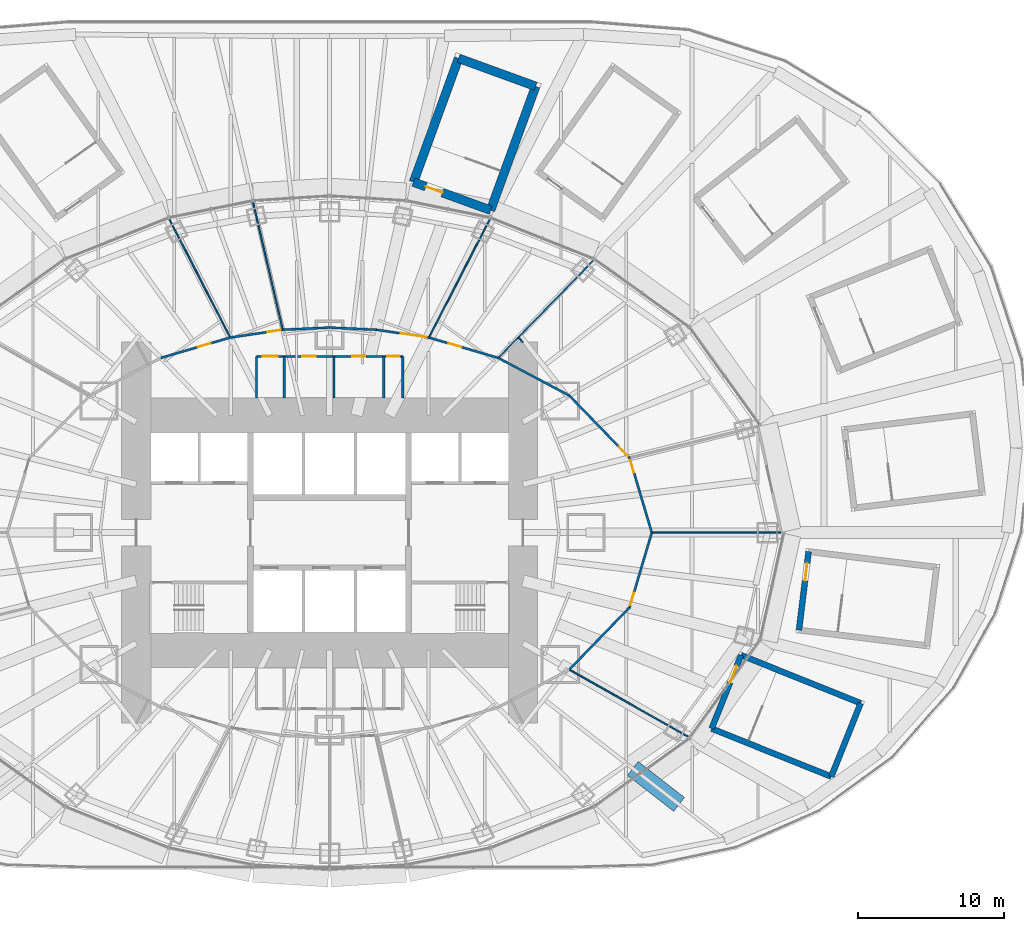
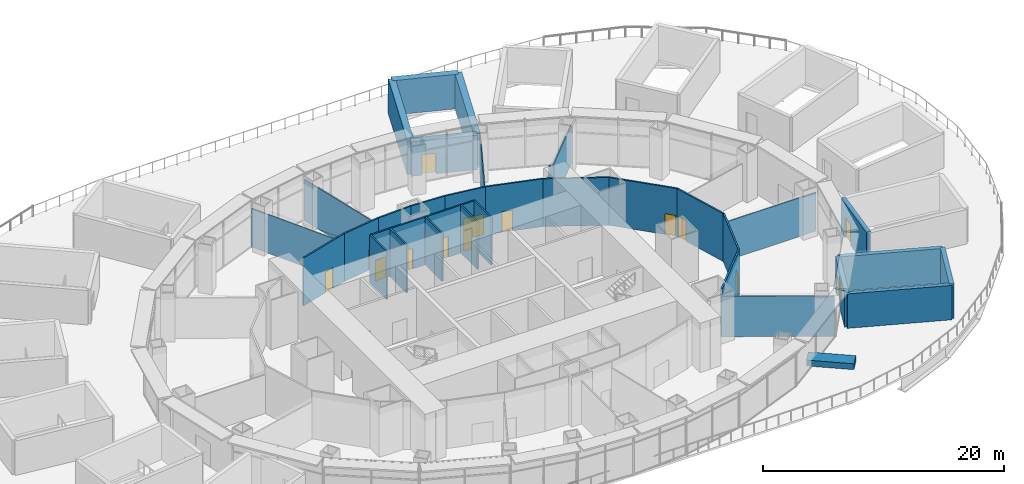
# One storey, part 18 of 25: 34 walls, 14 doors, 14 openings.
"""IFC4 building model written with IfcOpenShell, lengths in metres."""

from ifc_helpers import new_model, si_unit, direction, frame, frame_2d, origin, place, context, subcontext, project, spatial, rectangle, extrude, material, layer, layer_set, type_object, element, fill, save


model = new_model("IFC4")

# Units and contexts
model_context = context("Model", 3, precision=1e-05, world=origin(), true_north=direction((0.0, 1.0)))
body_context = subcontext(model_context, "Body", "Model", "MODEL_VIEW")
ifc_project = project(units=[si_unit("LENGTHUNIT", "METRE"), si_unit("AREAUNIT", "SQUARE_METRE"), si_unit("VOLUMEUNIT", "CUBIC_METRE"), si_unit("PLANEANGLEUNIT", "RADIAN"), si_unit("MASSUNIT", "GRAM", prefix="KILO")], contexts=[model_context])

# Site, building, storey
site_placement = place(None, origin())
site = spatial("IfcSite", under=ifc_project, at=site_placement, CompositionType="ELEMENT")
building_placement = place(site_placement, origin())
building = spatial("IfcBuilding", under=site, at=building_placement, Name="Lantaw Convention Tower", CompositionType="ELEMENT")
storey_placement = place(building_placement, frame((0.0, 0.0, 32.0)))
storey = spatial("IfcBuildingStorey", under=building, at=storey_placement, Name="L05", CompositionType="ELEMENT", Elevation=32.0)

# Wall, opening, door
ifc_material_1 = material(Name="Gypsum board on steel studs, fire rated", Category="steel")
ifc_layer_1 = layer(ifc_material_1, 0.14990234375)
ifc_layer_set_1 = layer_set([ifc_layer_1], Name="Corridor wall 150 EI 60")
wall_type_1 = type_object("IfcWallType", Name="Corridor wall 150 EI 60", PredefinedType="PARTITIONING", material=ifc_layer_set_1)
wall_1_placement = place(storey_placement, frame((22.0, 0.0, 0.0), z_axis=(0.0, 0.0, 1.0), x_axis=(-0.284584469409, 0.95865096869, 0.0)))
wall_1 = element("IfcWall", 1, at=wall_1_placement, inside=storey, type_object=wall_type_1, Name="Corridor wall 150", PredefinedType="PARTITIONING", context=body_context, shape_type="SweptSolid", body=[
    extrude(rectangle(XDim=5.327392578125, YDim=0.14990234375, at=frame_2d((2.66357421875, 0.0))), origin(), (0.0, 0.0, 1.0), 4.85009765625),
])
opening_1_placement = place(wall_1_placement, frame((4.277587890625, 0.0, 0.0)))
opening_1 = element("IfcOpeningElement", 2, at=opening_1_placement, cuts=wall_1, Name="Opening L05.22", PredefinedType="OPENING", context=body_context, shape_type="SweptSolid", body=[
    extrude(rectangle(XDim=0.89990234375, YDim=2.10009765625, at=frame_2d((0.449951171875, 1.050048828125))), frame((0.0, 0.0849609375, 0.0), z_axis=(0.0, -1.0, 0.0), x_axis=(1.0, 0.0, 0.0)), (0.0, 0.0, 1.0), 0.169921875),
])
ifc_material_2 = material(Name="Steel, fire rated", Category="steel")
door_type_1 = type_object("IfcDoorType", Name="Office door 900 FD30", OperationType="SINGLE_SWING_LEFT", PredefinedType="DOOR", material=ifc_material_2)
door_1_placement = place(opening_1_placement, origin())
door_1 = element("IfcDoor", 3, at=door_1_placement, inside=storey, type_object=door_type_1, Name="Luggage store door", OperationType="SINGLE_SWING_LEFT", OverallHeight=2.10009765625, OverallWidth=0.89990234375, PredefinedType="DOOR", context=body_context, shape_type="SweptSolid", body=[
    extrude(rectangle(XDim=0.89990234375, YDim=2.10009765625, at=frame_2d((0.449951171875, 1.050048828125))), frame((0.0, 0.02490234375, 0.0), z_axis=(0.0, -1.0, 0.0), x_axis=(1.0, 0.0, 0.0)), (0.0, 0.0, 1.0), 0.050048828125),
])
fill(opening_1, door_1)

wall_2_placement = place(storey_placement, frame((20.48388671875, 5.107177734375, 0.0), z_axis=(0.0, 0.0, 1.0), x_axis=(-0.695871090686, 0.71816671125, 0.0)))
wall_2 = element("IfcWall", 4, at=wall_2_placement, inside=storey, type_object=wall_type_1, Name="Corridor wall 150", PredefinedType="PARTITIONING", context=body_context, shape_type="SweptSolid", body=[
    extrude(rectangle(XDim=5.9130859375, YDim=0.14990234375, at=frame_2d((2.95654296875, 0.0))), origin(), (0.0, 0.0, 1.0), 4.85009765625),
])
opening_2_placement = place(wall_2_placement, frame((0.14990234375, 0.0, 0.0)))
opening_2 = element("IfcOpeningElement", 5, at=opening_2_placement, cuts=wall_2, Name="Opening L05.23", PredefinedType="OPENING", context=body_context, shape_type="SweptSolid", body=[
    extrude(rectangle(XDim=0.89990234375, YDim=2.10009765625, at=frame_2d((0.449951171875, 1.050048828125))), frame((0.0, 0.0849609375, 0.0), z_axis=(0.0, -1.0, 0.0), x_axis=(1.0, 0.0, 0.0)), (0.0, 0.0, 1.0), 0.169921875),
])
door_2_placement = place(opening_2_placement, origin())
door_2 = element("IfcDoor", 6, at=door_2_placement, inside=storey, type_object=door_type_1, Name="Reception and concierge door", OperationType="SINGLE_SWING_LEFT", OverallHeight=2.10009765625, OverallWidth=0.89990234375, PredefinedType="DOOR", context=body_context, shape_type="SweptSolid", body=[
    extrude(rectangle(XDim=0.89990234375, YDim=2.10009765625, at=frame_2d((0.449951171875, 1.050048828125))), frame((0.0, 0.02490234375, 0.0), z_axis=(0.0, -1.0, 0.0), x_axis=(1.0, 0.0, 0.0)), (0.0, 0.0, 1.0), 0.050048828125),
])
fill(opening_2, door_2)

# Wall
wall_3_placement = place(storey_placement, frame((16.369140625, 9.353759765625, 0.0), z_axis=(0.0, 0.0, 1.0), x_axis=(-0.883334368785, 0.468743419071, 0.0)))
element("IfcWall", 7, at=wall_3_placement, inside=storey, type_object=wall_type_1, Name="Corridor wall 150", PredefinedType="PARTITIONING", context=body_context, shape_type="SweptSolid", body=[
    extrude(rectangle(XDim=5.4912109375, YDim=0.14990234375, at=frame_2d((2.74560546875, 0.0))), origin(), (0.0, 0.0, 1.0), 4.85009765625),
])

# Wall, opening, door
wall_4_placement = place(storey_placement, frame((11.5185546875, 11.927734375, 0.0), z_axis=(0.0, 0.0, 1.0), x_axis=(-0.959496227294, 0.281721475589, 0.0)))
wall_4 = element("IfcWall", 8, at=wall_4_placement, inside=storey, type_object=wall_type_1, Name="Corridor wall 150", PredefinedType="PARTITIONING", context=body_context, shape_type="SweptSolid", body=[
    extrude(rectangle(XDim=4.9326171875, YDim=0.14990234375, at=frame_2d((2.46630859375, 0.0))), origin(), (0.0, 0.0, 1.0), 4.85009765625),
])
opening_3_placement = place(wall_4_placement, frame((2.638427734375, 0.0, 0.0)))
opening_3 = element("IfcOpeningElement", 9, at=opening_3_placement, cuts=wall_4, Name="Opening L05.24", PredefinedType="OPENING", context=body_context, shape_type="SweptSolid", body=[
    extrude(rectangle(XDim=0.89990234375, YDim=2.10009765625, at=frame_2d((0.449951171875, 1.050048828125))), frame((0.0, 0.0849609375, 0.0), z_axis=(0.0, -1.0, 0.0), x_axis=(1.0, 0.0, 0.0)), (0.0, 0.0, 1.0), 0.169921875),
])
door_3_placement = place(opening_3_placement, origin())
door_3 = element("IfcDoor", 10, at=door_3_placement, inside=storey, type_object=door_type_1, Name="Guest relations office door", OperationType="SINGLE_SWING_LEFT", OverallHeight=2.10009765625, OverallWidth=0.89990234375, PredefinedType="DOOR", context=body_context, shape_type="SweptSolid", body=[
    extrude(rectangle(XDim=0.89990234375, YDim=2.10009765625, at=frame_2d((0.449951171875, 1.050048828125))), frame((0.0, 0.02490234375, 0.0), z_axis=(0.0, -1.0, 0.0), x_axis=(1.0, 0.0, 0.0)), (0.0, 0.0, 1.0), 0.050048828125),
])
fill(opening_3, door_3)

wall_5_placement = place(storey_placement, frame((6.78564453125, 13.3173828125, 0.0), z_axis=(0.0, 0.0, 1.0), x_axis=(-0.989107488999, 0.14719502439, 0.0)))
wall_5 = element("IfcWall", 11, at=wall_5_placement, inside=storey, type_object=wall_type_1, Name="Corridor wall 150", PredefinedType="PARTITIONING", context=body_context, shape_type="SweptSolid", body=[
    extrude(rectangle(XDim=3.62744140625, YDim=0.14990234375, at=frame_2d((1.813720703125, 0.0))), origin(), (0.0, 0.0, 1.0), 4.85009765625),
])
opening_4_placement = place(wall_5_placement, frame((0.14990234375, 0.0, 0.0)))
opening_4 = element("IfcOpeningElement", 12, at=opening_4_placement, cuts=wall_5, Name="Opening L05.25", PredefinedType="OPENING", context=body_context, shape_type="SweptSolid", body=[
    extrude(rectangle(XDim=1.800048828125, YDim=2.10009765625, at=frame_2d((0.89990234375, 1.050048828125))), frame((0.0, 0.0849609375, 0.0), z_axis=(0.0, -1.0, 0.0), x_axis=(1.0, 0.0, 0.0)), (0.0, 0.0, 1.0), 0.169921875),
])
door_type_2 = type_object("IfcDoorType", Name="Office double door 1800 FD30", OperationType="DOUBLE_DOOR_DOUBLE_SWING", PredefinedType="DOOR", material=ifc_material_2)
door_4_placement = place(opening_4_placement, origin())
door_4 = element("IfcDoor", 13, at=door_4_placement, inside=storey, type_object=door_type_2, Name="Business centre door", OperationType="DOUBLE_DOOR_DOUBLE_SWING", OverallHeight=2.10009765625, OverallWidth=1.800048828125, PredefinedType="DOOR", context=body_context, shape_type="SweptSolid", body=[
    extrude(rectangle(XDim=1.800048828125, YDim=2.10009765625, at=frame_2d((0.89990234375, 1.050048828125))), frame((0.0, 0.02490234375, 0.0), z_axis=(0.0, -1.0, 0.0), x_axis=(1.0, 0.0, 0.0)), (0.0, 0.0, 1.0), 0.050048828125),
])
fill(opening_4, door_4)

# Walls
for number, where, z_axis, x_axis, name in (
    (14, (3.19775390625, 13.851318359375, 0.0), (0.0, 0.0, 1.0), (-0.998920826789, 0.046445471333, 0.0), "Corridor wall 150"),
    (15, (0.0, 14.0, 0.0), (0.0, 0.0, 1.0), (-0.998920826789, -0.046445471333, 0.0), "Corridor wall 150"),
):
    element("IfcWall", number, at=place(storey_placement, frame(where, z_axis=z_axis, x_axis=x_axis)), inside=storey, type_object=wall_type_1, Name=name, PredefinedType="PARTITIONING", context=body_context, shape_type="SweptSolid", body=[
        extrude(rectangle(XDim=3.201171875, YDim=0.14990234375, at=frame_2d((1.6005859375, 0.0))), origin(), (0.0, 0.0, 1.0), 4.85009765625),
    ])

# Wall, opening, door
wall_6_placement = place(storey_placement, frame((-3.19775390625, 13.851318359375, 0.0), z_axis=(0.0, 0.0, 1.0), x_axis=(-0.989107488999, -0.14719502439, 0.0)))
wall_6 = element("IfcWall", 16, at=wall_6_placement, inside=storey, type_object=wall_type_1, Name="Corridor wall 150", PredefinedType="PARTITIONING", context=body_context, shape_type="SweptSolid", body=[
    extrude(rectangle(XDim=3.62744140625, YDim=0.14990234375, at=frame_2d((1.813720703125, 0.0))), origin(), (0.0, 0.0, 1.0), 4.85009765625),
])
opening_5_placement = place(wall_6_placement, frame((0.14990234375, 0.0, 0.0)))
opening_5 = element("IfcOpeningElement", 17, at=opening_5_placement, cuts=wall_6, Name="Opening L05.26", PredefinedType="OPENING", context=body_context, shape_type="SweptSolid", body=[
    extrude(rectangle(XDim=0.89990234375, YDim=2.10009765625, at=frame_2d((0.449951171875, 1.050048828125))), frame((0.0, 0.0849609375, 0.0), z_axis=(0.0, -1.0, 0.0), x_axis=(1.0, 0.0, 0.0)), (0.0, 0.0, 1.0), 0.169921875),
])
door_5_placement = place(opening_5_placement, origin())
door_5 = element("IfcDoor", 18, at=door_5_placement, inside=storey, type_object=door_type_1, Name="Prayer room door", OperationType="SINGLE_SWING_LEFT", OverallHeight=2.10009765625, OverallWidth=0.89990234375, PredefinedType="DOOR", context=body_context, shape_type="SweptSolid", body=[
    extrude(rectangle(XDim=0.89990234375, YDim=2.10009765625, at=frame_2d((0.449951171875, 1.050048828125))), frame((0.0, 0.02490234375, 0.0), z_axis=(0.0, -1.0, 0.0), x_axis=(1.0, 0.0, 0.0)), (0.0, 0.0, 1.0), 0.050048828125),
])
fill(opening_5, door_5)

wall_7_placement = place(storey_placement, frame((-6.78564453125, 13.3173828125, 0.0), z_axis=(0.0, 0.0, 1.0), x_axis=(-0.959496227294, -0.281721475589, 0.0)))
wall_7 = element("IfcWall", 19, at=wall_7_placement, inside=storey, type_object=wall_type_1, Name="Corridor wall 150", PredefinedType="PARTITIONING", context=body_context, shape_type="SweptSolid", body=[
    extrude(rectangle(XDim=4.9326171875, YDim=0.14990234375, at=frame_2d((2.46630859375, 0.0))), origin(), (0.0, 0.0, 1.0), 4.85009765625),
])
opening_6_placement = place(wall_7_placement, frame((1.394287109375, 0.0, 0.0)))
opening_6 = element("IfcOpeningElement", 20, at=opening_6_placement, cuts=wall_7, Name="Opening L05.27", PredefinedType="OPENING", context=body_context, shape_type="SweptSolid", body=[
    extrude(rectangle(XDim=0.89990234375, YDim=2.10009765625, at=frame_2d((0.449951171875, 1.050048828125))), frame((0.0, 0.0849609375, 0.0), z_axis=(0.0, -1.0, 0.0), x_axis=(1.0, 0.0, 0.0)), (0.0, 0.0, 1.0), 0.169921875),
])
door_6_placement = place(opening_6_placement, origin())
door_6 = element("IfcDoor", 21, at=door_6_placement, inside=storey, type_object=door_type_1, Name="Fitness centre door", OperationType="SINGLE_SWING_LEFT", OverallHeight=2.10009765625, OverallWidth=0.89990234375, PredefinedType="DOOR", context=body_context, shape_type="SweptSolid", body=[
    extrude(rectangle(XDim=0.89990234375, YDim=2.10009765625, at=frame_2d((0.449951171875, 1.050048828125))), frame((0.0, 0.02490234375, 0.0), z_axis=(0.0, -1.0, 0.0), x_axis=(1.0, 0.0, 0.0)), (0.0, 0.0, 1.0), 0.050048828125),
])
fill(opening_6, door_6)

# Wall
wall_8_placement = place(storey_placement, frame((16.369140625, -9.353759765625, 0.0), z_axis=(0.0, 0.0, 1.0), x_axis=(0.695871090686, 0.71816671125, 0.0)))
element("IfcWall", 22, at=wall_8_placement, inside=storey, type_object=wall_type_1, Name="Corridor wall 150", PredefinedType="PARTITIONING", context=body_context, shape_type="SweptSolid", body=[
    extrude(rectangle(XDim=5.9130859375, YDim=0.14990234375, at=frame_2d((2.95654296875, 0.0))), origin(), (0.0, 0.0, 1.0), 4.85009765625),
])

# Wall, opening, door
wall_9_placement = place(storey_placement, frame((20.48388671875, -5.107177734375, 0.0), z_axis=(0.0, 0.0, 1.0), x_axis=(0.284584469409, 0.95865096869, 0.0)))
wall_9 = element("IfcWall", 23, at=wall_9_placement, inside=storey, type_object=wall_type_1, Name="Corridor wall 150", PredefinedType="PARTITIONING", context=body_context, shape_type="SweptSolid", body=[
    extrude(rectangle(XDim=5.327392578125, YDim=0.14990234375, at=frame_2d((2.66357421875, 0.0))), origin(), (0.0, 0.0, 1.0), 4.85009765625),
])
opening_7_placement = place(wall_9_placement, frame((0.14990234375, 0.0, 0.0)))
opening_7 = element("IfcOpeningElement", 24, at=opening_7_placement, cuts=wall_9, Name="Opening L05.34", PredefinedType="OPENING", context=body_context, shape_type="SweptSolid", body=[
    extrude(rectangle(XDim=0.89990234375, YDim=2.10009765625, at=frame_2d((0.449951171875, 1.050048828125))), frame((0.0, 0.0849609375, 0.0), z_axis=(0.0, -1.0, 0.0), x_axis=(1.0, 0.0, 0.0)), (0.0, 0.0, 1.0), 0.169921875),
])
door_7_placement = place(opening_7_placement, origin())
door_7 = element("IfcDoor", 25, at=door_7_placement, inside=storey, type_object=door_type_1, Name="Tour and travel office door", OperationType="SINGLE_SWING_LEFT", OverallHeight=2.10009765625, OverallWidth=0.89990234375, PredefinedType="DOOR", context=body_context, shape_type="SweptSolid", body=[
    extrude(rectangle(XDim=0.89990234375, YDim=2.10009765625, at=frame_2d((0.449951171875, 1.050048828125))), frame((0.0, 0.02490234375, 0.0), z_axis=(0.0, -1.0, 0.0), x_axis=(1.0, 0.0, 0.0)), (0.0, 0.0, 1.0), 0.050048828125),
])
fill(opening_7, door_7)

# Walls
ifc_material_3 = material(Name="Gypsum board on steel studs, acoustic", Category="steel")
ifc_layer_2 = layer(ifc_material_3, 0.10009765625)
ifc_layer_set_2 = layer_set([ifc_layer_2], Name="Office partition 100")
wall_type_2 = type_object("IfcWallType", Name="Office partition 100", PredefinedType="PARTITIONING", material=ifc_layer_set_2)
wall_10_placement = place(storey_placement, frame((30.82080078125, 0.0, 0.0), z_axis=(0.0, 0.0, 1.0), x_axis=(-1.0, 0.0, 0.0)))
element("IfcWall", 26, at=wall_10_placement, inside=storey, type_object=wall_type_2, Name="Office partition 100", PredefinedType="PARTITIONING", context=body_context, shape_type="SweptSolid", body=[
    extrude(rectangle(XDim=8.82080078125, YDim=0.10009765625, at=frame_2d((4.410400390625, 0.0))), origin(), (0.0, 0.0, 1.0), 3.927978515625),
])
wall_11_placement = place(storey_placement, frame((18.055419921875, 18.62890625, 0.0), z_axis=(0.0, 0.0, 1.0), x_axis=(-0.698276596003, -0.715828048818, 0.0)))
element("IfcWall", 27, at=wall_11_placement, inside=storey, type_object=wall_type_2, Name="Office partition 100", PredefinedType="PARTITIONING", context=body_context, shape_type="SweptSolid", body=[
    extrude(rectangle(XDim=9.361328125, YDim=0.10009765625, at=frame_2d((4.6806640625, 0.0))), origin(), (0.0, 0.0, 1.0), 3.927978515625),
])
wall_12_placement = place(storey_placement, frame((10.967041015625, 21.452880859375, 0.0), z_axis=(0.0, 0.0, 1.0), x_axis=(-0.457125463925, -0.889402220726, 0.0)))
element("IfcWall", 28, at=wall_12_placement, inside=storey, type_object=wall_type_2, Name="Office partition 100", PredefinedType="PARTITIONING", context=body_context, shape_type="SweptSolid", body=[
    extrude(rectangle(XDim=9.147216796875, YDim=0.10009765625, at=frame_2d((4.57373046875, 0.0))), origin(), (0.0, 0.0, 1.0), 3.927978515625),
])
wall_13_placement = place(storey_placement, frame((-5.238037109375, 22.61279296875, 0.0), z_axis=(0.0, 0.0, 1.0), x_axis=(0.226801487876, -0.97394100699, 0.0)))
element("IfcWall", 29, at=wall_13_placement, inside=storey, type_object=wall_type_2, Name="Office partition 100", PredefinedType="PARTITIONING", context=body_context, shape_type="SweptSolid", body=[
    extrude(rectangle(XDim=8.995849609375, YDim=0.10009765625, at=frame_2d((4.498046875, 0.0))), origin(), (0.0, 0.0, 1.0), 4.166748046875),
])
wall_14_placement = place(storey_placement, frame((-10.967041015625, 21.452880859375, 0.0), z_axis=(0.0, 0.0, 1.0), x_axis=(0.457125463925, -0.889402220726, 0.0)))
element("IfcWall", 30, at=wall_14_placement, inside=storey, type_object=wall_type_2, Name="Office partition 100", PredefinedType="PARTITIONING", context=body_context, shape_type="SweptSolid", body=[
    extrude(rectangle(XDim=9.147216796875, YDim=0.10009765625, at=frame_2d((4.57373046875, 0.0))), origin(), (0.0, 0.0, 1.0), 3.927978515625),
])
wall_15_placement = place(storey_placement, frame((24.5400390625, -13.96826171875, 0.0), z_axis=(0.0, 0.0, 1.0), x_axis=(-0.870737709049, 0.491747742283, 0.0)))
element("IfcWall", 31, at=wall_15_placement, inside=storey, type_object=wall_type_2, Name="Office partition 100", PredefinedType="PARTITIONING", context=body_context, shape_type="SweptSolid", body=[
    extrude(rectangle(XDim=9.3837890625, YDim=0.10009765625, at=frame_2d((4.69189453125, 0.0))), origin(), (0.0, 0.0, 1.0), 4.093017578125),
])
wall_16_placement = place(storey_placement, frame((13.199951171875, 13.0, 0.0), z_axis=(0.0, 0.0, 1.0), x_axis=(-0.715906247499, 0.698196422786, 0.0)))
element("IfcWall", 32, at=wall_16_placement, inside=storey, type_object=wall_type_2, Name="Office partition 100", PredefinedType="PARTITIONING", context=body_context, shape_type="SweptSolid", body=[
    extrude(rectangle(XDim=0.454833984375, YDim=0.10009765625, at=frame_2d((0.2275390625, 0.0))), origin(), (0.0, 0.0, 1.0), 4.85009765625),
])
ifc_material_4 = material(Name="Precast concrete planter", Category="concrete")
ifc_layer_3 = layer(ifc_material_4, 1.199951171875)
ifc_layer_set_3 = layer_set([ifc_layer_3], Name="PLANTER box 1200x600")
wall_type_3 = type_object("IfcWallType", Name="PLANTER box 1200x600", PredefinedType="USERDEFINED", material=ifc_layer_set_3)
wall_17_placement = place(storey_placement, frame((20.706787109375, -16.103759765625, 0.0), z_axis=(0.0, 0.0, 1.0), x_axis=(0.789375220822, -0.613911036512, 0.0)))
element("IfcWall", 33, at=wall_17_placement, inside=storey, type_object=wall_type_3, Name="Tree PLANTER", ObjectType="PLANTER", PredefinedType="USERDEFINED", context=body_context, shape_type="SweptSolid", body=[
    extrude(rectangle(XDim=4.000244140625, YDim=1.199951171875, at=frame_2d((2.0, 0.0))), origin(), (0.0, 0.0, 1.0), 0.60009765625),
])
ifc_material_5 = material(Name="Concrete C40/50, stair core, rendered", Category="concrete")
ifc_layer_4 = layer(ifc_material_5, 0.39990234375)
ifc_layer_set_4 = layer_set([ifc_layer_4], Name="Stair head-house wall 400 EI 120")
wall_type_4 = type_object("IfcWallType", Name="Stair head-house wall 400 EI 120", PredefinedType="SHEAR", material=ifc_layer_set_4)
wall_18_placement = place(storey_placement, frame((26.0869140625, -13.3818359375, 0.0), z_axis=(0.0, 0.0, 1.0), x_axis=(0.92801678004, -0.372538395288, 0.0)))
element("IfcWall", 34, at=wall_18_placement, inside=storey, type_object=wall_type_4, Name="Stair head-house wall", PredefinedType="SHEAR", context=body_context, shape_type="SweptSolid", body=[
    extrude(rectangle(XDim=8.800048828125, YDim=0.39990234375, at=frame_2d((4.39990234375, 0.0))), origin(), (0.0, 0.0, 1.0), 3.5),
])
wall_19_placement = place(storey_placement, frame((34.25341796875, -16.66015625, 0.0), z_axis=(0.0, 0.0, 1.0), x_axis=(0.372544066459, 0.928014503414, 0.0)))
element("IfcWall", 35, at=wall_19_placement, inside=storey, type_object=wall_type_4, Name="Stair head-house wall", PredefinedType="SHEAR", context=body_context, shape_type="SweptSolid", body=[
    extrude(rectangle(XDim=5.39990234375, YDim=0.39990234375, at=frame_2d((2.699951171875, 0.0))), origin(), (0.0, 0.0, 1.0), 3.5),
])
wall_20_placement = place(storey_placement, frame((36.26513671875, -11.64892578125, 0.0), z_axis=(0.0, 0.0, 1.0), x_axis=(-0.928007188331, 0.372562287955, 0.0)))
element("IfcWall", 36, at=wall_20_placement, inside=storey, type_object=wall_type_4, Name="Stair head-house wall", PredefinedType="SHEAR", context=body_context, shape_type="SweptSolid", body=[
    extrude(rectangle(XDim=8.800048828125, YDim=0.39990234375, at=frame_2d((4.39990234375, 0.0))), origin(), (0.0, 0.0, 1.0), 3.5),
])

# Wall, opening, door
wall_21_placement = place(storey_placement, frame((28.0986328125, -8.370361328125, 0.0), z_axis=(0.0, 0.0, 1.0), x_axis=(-0.372528436202, -0.928020777904, 0.0)))
wall_21 = element("IfcWall", 37, at=wall_21_placement, inside=storey, type_object=wall_type_4, Name="Stair head-house wall", PredefinedType="SHEAR", context=body_context, shape_type="SweptSolid", body=[
    extrude(rectangle(XDim=5.400146484375, YDim=0.39990234375, at=frame_2d((2.7001953125, 0.0))), origin(), (0.0, 0.0, 1.0), 3.5),
])
opening_8_placement = place(wall_21_placement, frame((0.800048828125, 0.0, 0.0)))
opening_8 = element("IfcOpeningElement", 38, at=opening_8_placement, cuts=wall_21, Name="Opening L05.P12", PredefinedType="OPENING", context=body_context, shape_type="SweptSolid", body=[
    extrude(rectangle(XDim=1.199951171875, YDim=2.10009765625, at=frame_2d((0.60009765625, 1.050048828125))), frame((0.0, 0.2099609375, 0.0), z_axis=(0.0, -1.0, 0.0), x_axis=(1.0, 0.0, 0.0)), (0.0, 0.0, 1.0), 0.419921875),
])
ifc_material_6 = material(Name="Aluminium and glass", Category="aluminium")
door_type_3 = type_object("IfcDoorType", Name="Exit door 1200", OperationType="SINGLE_SWING_RIGHT", PredefinedType="DOOR", material=ifc_material_6)
door_8_placement = place(opening_8_placement, origin())
door_8 = element("IfcDoor", 39, at=door_8_placement, inside=storey, type_object=door_type_3, Name="Stair door to terrace", OperationType="SINGLE_SWING_RIGHT", OverallHeight=2.10009765625, OverallWidth=1.199951171875, PredefinedType="DOOR", context=body_context, shape_type="SweptSolid", body=[
    extrude(rectangle(XDim=1.199951171875, YDim=2.10009765625, at=frame_2d((0.60009765625, 1.050048828125))), frame((0.0, 0.02490234375, 0.0), z_axis=(0.0, -1.0, 0.0), x_axis=(1.0, 0.0, 0.0)), (0.0, 0.0, 1.0), 0.050048828125),
])
fill(opening_8, door_8)

wall_22_placement = place(storey_placement, frame((32.70849609375, -1.2958984375, 0.0), z_axis=(0.0, 0.0, 1.0), x_axis=(-0.12184754212, -0.99254882826, 0.0)))
wall_22 = element("IfcWall", 40, at=wall_22_placement, inside=storey, type_object=wall_type_4, Name="Stair head-house wall", PredefinedType="SHEAR", context=body_context, shape_type="SweptSolid", body=[
    extrude(rectangle(XDim=5.39990234375, YDim=0.39990234375, at=frame_2d((2.699951171875, 0.0))), origin(), (0.0, 0.0, 1.0), 3.5),
])
opening_9_placement = place(wall_22_placement, frame((0.800048828125, 0.0, 0.0)))
opening_9 = element("IfcOpeningElement", 41, at=opening_9_placement, cuts=wall_22, Name="Opening L05.P13", PredefinedType="OPENING", context=body_context, shape_type="SweptSolid", body=[
    extrude(rectangle(XDim=1.199951171875, YDim=2.10009765625, at=frame_2d((0.60009765625, 1.050048828125))), frame((0.0, 0.2099609375, 0.0), z_axis=(0.0, -1.0, 0.0), x_axis=(1.0, 0.0, 0.0)), (0.0, 0.0, 1.0), 0.419921875),
])
door_9_placement = place(opening_9_placement, origin())
door_9 = element("IfcDoor", 42, at=door_9_placement, inside=storey, type_object=door_type_3, Name="Stair door to terrace", OperationType="SINGLE_SWING_RIGHT", OverallHeight=2.10009765625, OverallWidth=1.199951171875, PredefinedType="DOOR", context=body_context, shape_type="SweptSolid", body=[
    extrude(rectangle(XDim=1.199951171875, YDim=2.10009765625, at=frame_2d((0.60009765625, 1.050048828125))), frame((0.0, 0.02490234375, 0.0), z_axis=(0.0, -1.0, 0.0), x_axis=(1.0, 0.0, 0.0)), (0.0, 0.0, 1.0), 0.050048828125),
])
fill(opening_9, door_9)

# Walls
ifc_layer_5 = layer(ifc_material_5, 0.60009765625)
ifc_layer_set_5 = layer_set([ifc_layer_5], Name="Stair head-house wall 600 EI 120")
wall_type_5 = type_object("IfcWallType", Name="Stair head-house wall 600 EI 120", PredefinedType="SHEAR", material=ifc_layer_set_5)
wall_23_placement = place(storey_placement, frame((10.9921875, 22.01416015625, 0.0), z_axis=(0.0, 0.0, 1.0), x_axis=(0.342013127703, 0.939695174234, 0.0)))
element("IfcWall", 43, at=wall_23_placement, inside=storey, type_object=wall_type_5, Name="Stair head-house wall", PredefinedType="SHEAR", context=body_context, shape_type="SweptSolid", body=[
    extrude(rectangle(XDim=9.0, YDim=0.60009765625, at=frame_2d((4.5, 0.0))), origin(), (0.0, 0.0, 1.0), 3.5),
])
wall_24_placement = place(storey_placement, frame((14.0703125, 30.471435546875, 0.0), z_axis=(0.0, 0.0, 1.0), x_axis=(-0.939692822968, 0.342019587834, 0.0)))
element("IfcWall", 44, at=wall_24_placement, inside=storey, type_object=wall_type_5, Name="Stair head-house wall", PredefinedType="SHEAR", context=body_context, shape_type="SweptSolid", body=[
    extrude(rectangle(XDim=5.599853515625, YDim=0.60009765625, at=frame_2d((2.7998046875, 0.0))), origin(), (0.0, 0.0, 1.0), 3.5),
])
wall_25_placement = place(storey_placement, frame((8.80810546875, 32.38671875, 0.0), z_axis=(0.0, 0.0, 1.0), x_axis=(-0.3420218461, -0.939692001025, 0.0)))
element("IfcWall", 45, at=wall_25_placement, inside=storey, type_object=wall_type_5, Name="Stair head-house wall", PredefinedType="SHEAR", context=body_context, shape_type="SweptSolid", body=[
    extrude(rectangle(XDim=8.999755859375, YDim=0.60009765625, at=frame_2d((4.5, 0.0))), origin(), (0.0, 0.0, 1.0), 3.5),
])

# Wall, opening, door
wall_26_placement = place(storey_placement, frame((5.72998046875, 23.9296875, 0.0), z_axis=(0.0, 0.0, 1.0), x_axis=(0.939678810556, -0.342058084236, 0.0)))
wall_26 = element("IfcWall", 46, at=wall_26_placement, inside=storey, type_object=wall_type_5, Name="Stair head-house wall", PredefinedType="SHEAR", context=body_context, shape_type="SweptSolid", body=[
    extrude(rectangle(XDim=5.60009765625, YDim=0.60009765625, at=frame_2d((2.800048828125, 0.0))), origin(), (0.0, 0.0, 1.0), 3.5),
])
opening_10_placement = place(wall_26_placement, frame((0.89990234375, 0.0, 0.0)))
opening_10 = element("IfcOpeningElement", 47, at=opening_10_placement, cuts=wall_26, Name="Opening L05.P5", PredefinedType="OPENING", context=body_context, shape_type="SweptSolid", body=[
    extrude(rectangle(XDim=1.199951171875, YDim=2.10009765625, at=frame_2d((0.60009765625, 1.050048828125))), frame((0.0, 0.31005859375, 0.0), z_axis=(0.0, -1.0, 0.0), x_axis=(1.0, 0.0, 0.0)), (0.0, 0.0, 1.0), 0.6201171875),
])
door_10_placement = place(opening_10_placement, origin())
door_10 = element("IfcDoor", 48, at=door_10_placement, inside=storey, type_object=door_type_3, Name="Stair door to terrace", OperationType="SINGLE_SWING_RIGHT", OverallHeight=2.10009765625, OverallWidth=1.199951171875, PredefinedType="DOOR", context=body_context, shape_type="SweptSolid", body=[
    extrude(rectangle(XDim=1.199951171875, YDim=2.10009765625, at=frame_2d((0.60009765625, 1.050048828125))), frame((0.0, 0.02490234375, 0.0), z_axis=(0.0, -1.0, 0.0), x_axis=(1.0, 0.0, 0.0)), (0.0, 0.0, 1.0), 0.050048828125),
])
fill(opening_10, door_10)

# Wall, openings, doors
ifc_material_7 = material(Name="Concrete blockwork", Category="masonry")
ifc_layer_6 = layer(ifc_material_7, 0.14990234375)
ifc_layer_set_6 = layer_set([ifc_layer_6], Name="WC wall 150")
wall_type_6 = type_object("IfcWallType", Name="WC wall 150", PredefinedType="SOLIDWALL", material=ifc_layer_set_6)
wall_27_placement = place(storey_placement, frame((-5.0, 12.033935546875, 0.0), z_axis=(0.0, 0.0, 1.0), x_axis=(1.0, 0.0, 0.0)))
wall_27 = element("IfcWall", 49, at=wall_27_placement, inside=storey, type_object=wall_type_6, Name="WC wall 150", PredefinedType="SOLIDWALL", context=body_context, shape_type="SweptSolid", body=[
    extrude(rectangle(XDim=10.0, YDim=0.14990234375, at=frame_2d((5.0, 0.0))), origin(), (0.0, 0.0, 1.0), 4.85009765625),
])
opening_11_placement = place(wall_27_placement, frame((0.449951171875, 0.0, 0.0)))
opening_11 = element("IfcOpeningElement", 50, at=opening_11_placement, cuts=wall_27, Name="Opening L05.14", PredefinedType="OPENING", context=body_context, shape_type="SweptSolid", body=[
    extrude(rectangle(XDim=1.0, YDim=2.10009765625, at=frame_2d((0.5, 1.050048828125))), frame((0.0, 0.0849609375, 0.0), z_axis=(0.0, -1.0, 0.0), x_axis=(1.0, 0.0, 0.0)), (0.0, 0.0, 1.0), 0.169921875),
])
opening_12_placement = place(wall_27_placement, frame((3.14990234375, 0.0, 0.0)))
opening_12 = element("IfcOpeningElement", 51, at=opening_12_placement, cuts=wall_27, Name="Opening L05.15", PredefinedType="OPENING", context=body_context, shape_type="SweptSolid", body=[
    extrude(rectangle(XDim=0.89990234375, YDim=2.10009765625, at=frame_2d((0.449951171875, 1.050048828125))), frame((0.0, 0.0849609375, 0.0), z_axis=(0.0, -1.0, 0.0), x_axis=(1.0, 0.0, 0.0)), (0.0, 0.0, 1.0), 0.169921875),
])
opening_13_placement = place(wall_27_placement, frame((6.550048828125, 0.0, 0.0)))
opening_13 = element("IfcOpeningElement", 52, at=opening_13_placement, cuts=wall_27, Name="Opening L05.16", PredefinedType="OPENING", context=body_context, shape_type="SweptSolid", body=[
    extrude(rectangle(XDim=0.89990234375, YDim=2.10009765625, at=frame_2d((0.449951171875, 1.050048828125))), frame((0.0, 0.0849609375, 0.0), z_axis=(0.0, -1.0, 0.0), x_axis=(1.0, 0.0, 0.0)), (0.0, 0.0, 1.0), 0.169921875),
])
opening_14_placement = place(wall_27_placement, frame((8.949951171875, 0.0, 0.0)))
opening_14 = element("IfcOpeningElement", 53, at=opening_14_placement, cuts=wall_27, Name="Opening L05.17", PredefinedType="OPENING", context=body_context, shape_type="SweptSolid", body=[
    extrude(rectangle(XDim=0.800048828125, YDim=2.10009765625, at=frame_2d((0.39990234375, 1.050048828125))), frame((0.0, 0.0849609375, 0.0), z_axis=(0.0, -1.0, 0.0), x_axis=(1.0, 0.0, 0.0)), (0.0, 0.0, 1.0), 0.169921875),
])
ifc_material_8 = material(Name="Timber", Category="wood")
door_type_4 = type_object("IfcDoorType", Name="Accessible WC door 1000", OperationType="SINGLE_SWING_LEFT", PredefinedType="DOOR", material=ifc_material_8)
door_11_placement = place(opening_11_placement, origin())
door_11 = element("IfcDoor", 54, at=door_11_placement, inside=storey, type_object=door_type_4, Name="Accessible WC door", OperationType="SINGLE_SWING_LEFT", OverallHeight=2.10009765625, OverallWidth=1.0, PredefinedType="DOOR", context=body_context, shape_type="SweptSolid", body=[
    extrude(rectangle(XDim=1.0, YDim=2.10009765625, at=frame_2d((0.5, 1.050048828125))), frame((0.0, 0.02490234375, 0.0), z_axis=(0.0, -1.0, 0.0), x_axis=(1.0, 0.0, 0.0)), (0.0, 0.0, 1.0), 0.050048828125),
])
fill(opening_11, door_11)
door_type_5 = type_object("IfcDoorType", Name="WC door 800", OperationType="SINGLE_SWING_LEFT", PredefinedType="DOOR", material=ifc_material_8)
door_12_placement = place(opening_14_placement, origin())
door_12 = element("IfcDoor", 55, at=door_12_placement, inside=storey, type_object=door_type_5, Name="Cleaner's store door", OperationType="SINGLE_SWING_LEFT", OverallHeight=2.10009765625, OverallWidth=0.800048828125, PredefinedType="DOOR", context=body_context, shape_type="SweptSolid", body=[
    extrude(rectangle(XDim=0.800048828125, YDim=2.10009765625, at=frame_2d((0.39990234375, 1.050048828125))), frame((0.0, 0.02490234375, 0.0), z_axis=(0.0, -1.0, 0.0), x_axis=(1.0, 0.0, 0.0)), (0.0, 0.0, 1.0), 0.050048828125),
])
fill(opening_14, door_12)
door_type_6 = type_object("IfcDoorType", Name="WC door 900", OperationType="SINGLE_SWING_LEFT", PredefinedType="DOOR", material=ifc_material_8)
door_13_placement = place(opening_12_placement, origin())
door_13 = element("IfcDoor", 56, at=door_13_placement, inside=storey, type_object=door_type_6, Name="Male WC door", OperationType="SINGLE_SWING_LEFT", OverallHeight=2.10009765625, OverallWidth=0.89990234375, PredefinedType="DOOR", context=body_context, shape_type="SweptSolid", body=[
    extrude(rectangle(XDim=0.89990234375, YDim=2.10009765625, at=frame_2d((0.449951171875, 1.050048828125))), frame((0.0, 0.02490234375, 0.0), z_axis=(0.0, -1.0, 0.0), x_axis=(1.0, 0.0, 0.0)), (0.0, 0.0, 1.0), 0.050048828125),
])
fill(opening_12, door_13)
door_14_placement = place(opening_13_placement, origin())
door_14 = element("IfcDoor", 57, at=door_14_placement, inside=storey, type_object=door_type_6, Name="Female WC door", OperationType="SINGLE_SWING_LEFT", OverallHeight=2.10009765625, OverallWidth=0.89990234375, PredefinedType="DOOR", context=body_context, shape_type="SweptSolid", body=[
    extrude(rectangle(XDim=0.89990234375, YDim=2.10009765625, at=frame_2d((0.449951171875, 1.050048828125))), frame((0.0, 0.02490234375, 0.0), z_axis=(0.0, -1.0, 0.0), x_axis=(1.0, 0.0, 0.0)), (0.0, 0.0, 1.0), 0.050048828125),
])
fill(opening_13, door_14)

# Walls
for number, where, z_axis, x_axis, name in (
    (58, (-5.0, 9.199951171875, 0.0), (0.0, 0.0, 1.0), (0.0, 1.0, 0.0), "WC wall 150"),
    (59, (5.0, 9.199951171875, 0.0), (0.0, 0.0, 1.0), (0.0, 1.0, 0.0), "WC wall 150"),
    (60, (-3.10009765625, 9.199951171875, 0.0), (0.0, 0.0, 1.0), (0.0, 1.0, 0.0), "WC wall 150"),
    (61, (0.300048828125, 9.199951171875, 0.0), (0.0, 0.0, 1.0), (0.0, 1.0, 0.0), "WC wall 150"),
    (62, (3.699951171875, 9.199951171875, 0.0), (0.0, 0.0, 1.0), (0.0, 1.0, 0.0), "WC wall 150"),
):
    element("IfcWall", number, at=place(storey_placement, frame(where, z_axis=z_axis, x_axis=x_axis)), inside=storey, type_object=wall_type_6, Name=name, PredefinedType="SOLIDWALL", context=body_context, shape_type="SweptSolid", body=[
        extrude(rectangle(XDim=2.833984375, YDim=0.14990234375, at=frame_2d((1.4169921875, 0.0))), origin(), (0.0, 0.0, 1.0), 4.85009765625),
    ])

save(model, "model.ifc")
